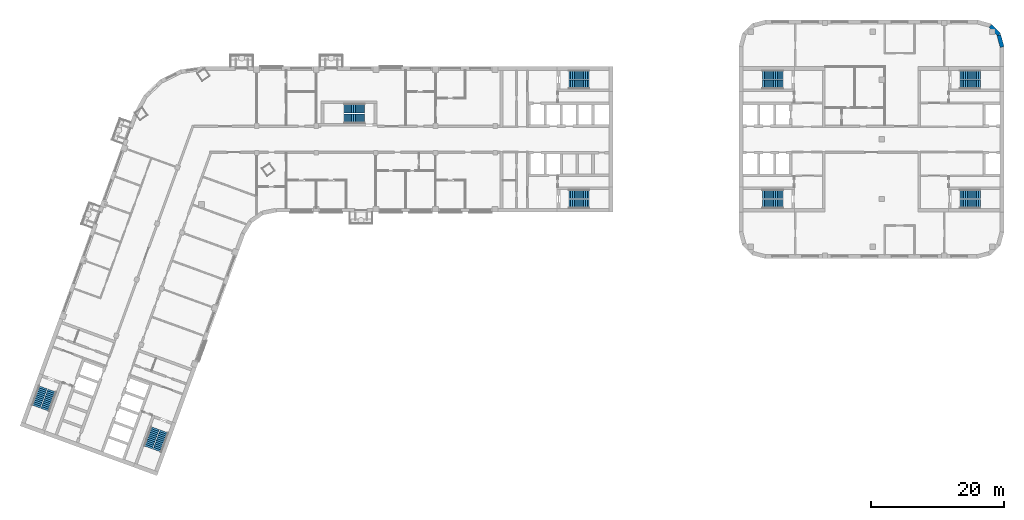
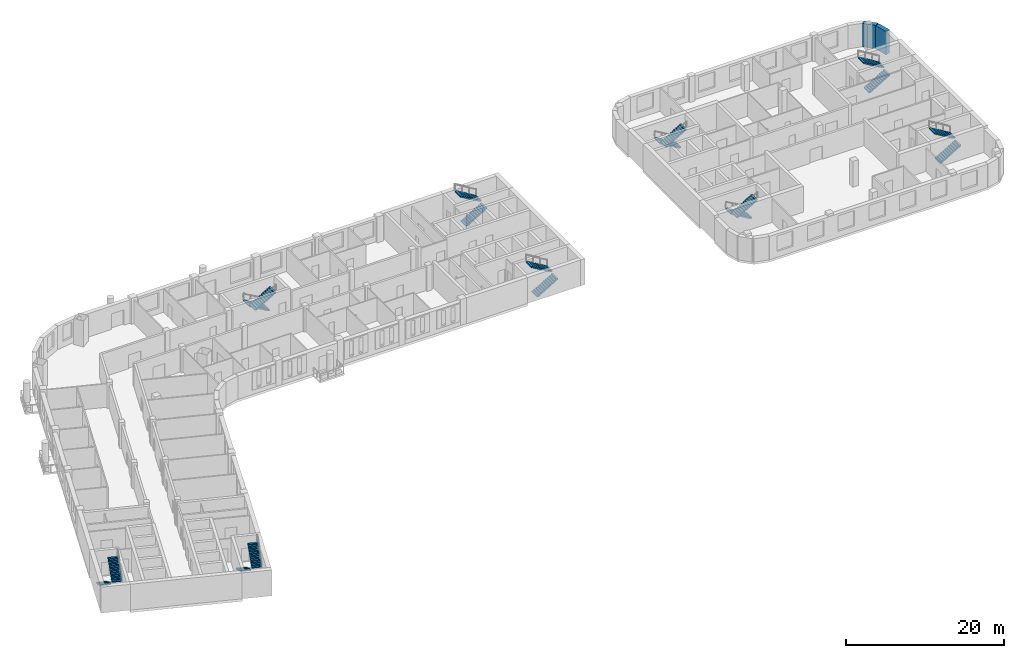
# One storey, part 10 of 15: 18 stair flights, 2 walls, 9 elements without a shape of their own.
"""IFC4 building model written with IfcOpenShell, lengths in metres."""

from ifc_helpers import new_model, si_unit, direction, frame, frame_2d, origin, place, context, subcontext, project, spatial, polyline, rectangle, outline, extrude, material, layer, layer_set, type_object, element, aggregate, save


model = new_model("IFC4")

# Units and contexts
model_context = context("Model", 3, precision=1e-05, world=origin(), true_north=direction((0.0, 1.0)))
body_context = subcontext(model_context, "Body", "Model", "MODEL_VIEW")
ifc_project = project(units=[si_unit("LENGTHUNIT", "METRE"), si_unit("AREAUNIT", "SQUARE_METRE"), si_unit("VOLUMEUNIT", "CUBIC_METRE"), si_unit("PLANEANGLEUNIT", "RADIAN"), si_unit("MASSUNIT", "GRAM", prefix="KILO")], contexts=[model_context])

# Site, building, storey
site_placement = place(None, origin())
site = spatial("IfcSite", under=ifc_project, at=site_placement, CompositionType="ELEMENT")
building_placement = place(site_placement, origin())
building = spatial("IfcBuilding", under=site, at=building_placement, Name="Skarvind Civic Tower", CompositionType="ELEMENT")
storey_placement = place(building_placement, frame((0.0, 0.0, 55.5)))
storey = spatial("IfcBuildingStorey", under=building, at=storey_placement, Name="L12", CompositionType="ELEMENT", Elevation=55.5)

# Walls
ifc_material_1 = material(Name="Limestone masonry cladding on insulated backing", Category="masonry")
ifc_layer = layer(ifc_material_1, 0.60009765625)
ifc_layer_set = layer_set([ifc_layer], Name="WX1 STONE FACADE WALL 600")
wall_type = type_object("IfcWallType", Name="WX1 STONE FACADE WALL 600", PredefinedType="SOLIDWALL", material=ifc_layer_set)
for number, where, z_axis, x_axis, name in (
    (1, (166.228759765625, 143.719482421875, 0.0), (0.0, 0.0, 1.0), (0.258773254036, -0.965938094805, 0.0), "STONE FACADE WALL"),
    (2, (164.936279296875, 145.103515625, 0.0), (0.0, 0.0, 1.0), (0.707106781187, -0.707106781187, 0.0), "STONE FACADE WALL"),
):
    element("IfcWall", number, at=place(storey_placement, frame(where, z_axis=z_axis, x_axis=x_axis)), inside=storey, type_object=wall_type, Name=name, PredefinedType="SOLIDWALL", context=body_context, shape_type="SweptSolid", body=[
        extrude(rectangle(XDim=1.860595703125, YDim=0.60009765625, at=frame_2d((0.93017578125, 0.0))), origin(), (0.0, 0.0, 1.0), 3.625),
    ])

# Stair, stair flights
ifc_material_2 = material(Name="Concrete C40/50", Category="concrete")
stair_type_1 = type_object("IfcStairType", Name="Exit stair 1450, half-turn, concrete", PredefinedType="HALF_TURN_STAIR", material=ifc_material_2)
stair_1_placement = place(storey_placement, origin())
stair_1 = element("IfcStair", 3, at=stair_1_placement, inside=storey, type_object=stair_type_1, Name="Exit stair CM", PredefinedType="HALF_TURN_STAIR")
stair_flight_type_1 = type_object("IfcStairFlightType", Name="Stair flight 1450, concrete", PredefinedType="STRAIGHT", material=ifc_material_2)
stair_flight_1_placement = place(storey_placement, frame((70.550048828125, 132.675048828125, 0.0), z_axis=(0.0, 0.0, 1.0), x_axis=(-1.0, 0.0, 0.0)))
stair_flight_1 = element("IfcStairFlight", 4, at=stair_flight_1_placement, type_object=stair_flight_type_1, Name="ST-CM flight 1", NumberOfRisers=12, NumberOfTreads=11, PredefinedType="STRAIGHT", RiserHeight=0.166666667, TreadLength=0.28, context=body_context, shape_type="SweptSolid", body=[
    extrude(outline(polyline([(0.0, 0.0), (0.0, 0.166748046875), (0.280029296875, 0.166748046875), (0.280029296875, 0.333251953125), (0.56005859375, 0.333251953125), (0.56005859375, 0.5), (0.840087890625, 0.5), (0.840087890625, 0.666748046875), (1.1201171875, 0.666748046875), (1.1201171875, 0.833251953125), (1.39990234375, 0.833251953125), (1.39990234375, 1.0), (1.679931640625, 1.0), (1.679931640625, 1.166748046875), (1.9599609375, 1.166748046875), (1.9599609375, 1.333251953125), (2.239990234375, 1.333251953125), (2.239990234375, 1.5), (2.52001953125, 1.5), (2.52001953125, 1.666748046875), (2.800048828125, 1.666748046875), (2.800048828125, 1.833251953125), (3.080078125, 1.833251953125), (3.080078125, 2.0), (3.080078125, 1.658935546875), (0.29296875, 0.0), (0.0, 0.0)])), frame((0.0, 0.72509765625, 0.0), z_axis=(0.0, -1.0, 0.0), x_axis=(1.0, 0.0, 0.0)), (0.0, 0.0, 1.0), 1.449951171875),
])
stair_flight_2_placement = place(storey_placement, frame((67.469970703125, 131.125, 2.0), z_axis=(0.0, 0.0, 1.0), x_axis=(1.0, 0.0, 0.0)))
stair_flight_2 = element("IfcStairFlight", 5, at=stair_flight_2_placement, type_object=stair_flight_type_1, Name="ST-CM flight 2", NumberOfRisers=12, NumberOfTreads=11, PredefinedType="STRAIGHT", RiserHeight=0.166666667, TreadLength=0.28, context=body_context, shape_type="SweptSolid", body=[
    extrude(outline(polyline([(0.0, 0.0), (0.0, 0.166748046875), (0.280029296875, 0.166748046875), (0.280029296875, 0.333251953125), (0.56005859375, 0.333251953125), (0.56005859375, 0.5), (0.840087890625, 0.5), (0.840087890625, 0.666748046875), (1.1201171875, 0.666748046875), (1.1201171875, 0.833251953125), (1.39990234375, 0.833251953125), (1.39990234375, 1.0), (1.679931640625, 1.0), (1.679931640625, 1.166748046875), (1.9599609375, 1.166748046875), (1.9599609375, 1.333251953125), (2.239990234375, 1.333251953125), (2.239990234375, 1.5), (2.52001953125, 1.5), (2.52001953125, 1.666748046875), (2.800048828125, 1.666748046875), (2.800048828125, 1.833251953125), (3.080078125, 1.833251953125), (3.080078125, 2.0), (3.080078125, 1.658935546875), (0.29296875, 0.0), (0.0, 0.0)])), frame((0.0, 0.72509765625, 0.0), z_axis=(0.0, -1.0, 0.0), x_axis=(1.0, 0.0, 0.0)), (0.0, 0.0, 1.0), 1.449951171875),
])
aggregate(stair_1, [stair_flight_1, stair_flight_2])

stair_type_2 = type_object("IfcStairType", Name="Exit stair, half-turn, concrete", PredefinedType="HALF_TURN_STAIR", material=ifc_material_2)
stair_2_placement = place(storey_placement, origin())
stair_2 = element("IfcStair", 6, at=stair_2_placement, inside=storey, type_object=stair_type_2, Name="Exit stair C1S", PredefinedType="HALF_TURN_STAIR")
stair_flight_type_2 = type_object("IfcStairFlightType", Name="Stair flight, concrete", PredefinedType="STRAIGHT", material=ifc_material_2)
stair_flight_3_placement = place(storey_placement, frame((101.35009765625, 136.27490234375, 0.0), z_axis=(0.0, 0.0, 1.0), x_axis=(1.0, 0.0, 0.0)))
stair_flight_3 = element("IfcStairFlight", 7, at=stair_flight_3_placement, type_object=stair_flight_type_2, Name="ST-C1S flight 1", NumberOfRisers=12, NumberOfTreads=11, PredefinedType="STRAIGHT", RiserHeight=0.166666667, TreadLength=0.28, context=body_context, shape_type="SweptSolid", body=[
    extrude(outline(polyline([(0.0, 0.0), (0.0, 0.166748046875), (0.280029296875, 0.166748046875), (0.280029296875, 0.333251953125), (0.56005859375, 0.333251953125), (0.56005859375, 0.5), (0.840087890625, 0.5), (0.840087890625, 0.666748046875), (1.1201171875, 0.666748046875), (1.1201171875, 0.833251953125), (1.39990234375, 0.833251953125), (1.39990234375, 1.0), (1.679931640625, 1.0), (1.679931640625, 1.166748046875), (1.9599609375, 1.166748046875), (1.9599609375, 1.333251953125), (2.239990234375, 1.333251953125), (2.239990234375, 1.5), (2.52001953125, 1.5), (2.52001953125, 1.666748046875), (2.800048828125, 1.666748046875), (2.800048828125, 1.833251953125), (3.080078125, 1.833251953125), (3.080078125, 2.0), (3.080078125, 1.658935546875), (0.29296875, 0.0), (0.0, 0.0)])), frame((0.0, 0.675048828125, 0.0), z_axis=(0.0, -1.0, 0.0), x_axis=(1.0, 0.0, 0.0)), (0.0, 0.0, 1.0), 1.35009765625),
])
stair_flight_4_placement = place(storey_placement, frame((104.429931640625, 137.72509765625, 2.0), z_axis=(0.0, 0.0, 1.0), x_axis=(-1.0, 0.0, 0.0)))
stair_flight_4 = element("IfcStairFlight", 8, at=stair_flight_4_placement, type_object=stair_flight_type_2, Name="ST-C1S flight 2", NumberOfRisers=12, NumberOfTreads=11, PredefinedType="STRAIGHT", RiserHeight=0.166666667, TreadLength=0.28, context=body_context, shape_type="SweptSolid", body=[
    extrude(outline(polyline([(0.0, 0.0), (0.0, 0.166748046875), (0.280029296875, 0.166748046875), (0.280029296875, 0.333251953125), (0.56005859375, 0.333251953125), (0.56005859375, 0.5), (0.840087890625, 0.5), (0.840087890625, 0.666748046875), (1.1201171875, 0.666748046875), (1.1201171875, 0.833251953125), (1.39990234375, 0.833251953125), (1.39990234375, 1.0), (1.679931640625, 1.0), (1.679931640625, 1.166748046875), (1.9599609375, 1.166748046875), (1.9599609375, 1.333251953125), (2.239990234375, 1.333251953125), (2.239990234375, 1.5), (2.52001953125, 1.5), (2.52001953125, 1.666748046875), (2.800048828125, 1.666748046875), (2.800048828125, 1.833251953125), (3.080078125, 1.833251953125), (3.080078125, 2.0), (3.080078125, 1.658935546875), (0.29296875, 0.0), (0.0, 0.0)])), frame((0.0, 0.675048828125, 0.0), z_axis=(0.0, -1.0, 0.0), x_axis=(1.0, 0.0, 0.0)), (0.0, 0.0, 1.0), 1.35009765625),
])
aggregate(stair_2, [stair_flight_3, stair_flight_4])

stair_3_placement = place(storey_placement, origin())
stair_3 = element("IfcStair", 9, at=stair_3_placement, inside=storey, type_object=stair_type_2, Name="Exit stair C1N", PredefinedType="HALF_TURN_STAIR")
stair_flight_5_placement = place(storey_placement, frame((101.35009765625, 118.27490234375, 0.0), z_axis=(0.0, 0.0, 1.0), x_axis=(1.0, 0.0, 0.0)))
stair_flight_5 = element("IfcStairFlight", 10, at=stair_flight_5_placement, type_object=stair_flight_type_2, Name="ST-C1N flight 1", NumberOfRisers=12, NumberOfTreads=11, PredefinedType="STRAIGHT", RiserHeight=0.166666667, TreadLength=0.28, context=body_context, shape_type="SweptSolid", body=[
    extrude(outline(polyline([(0.0, 0.0), (0.0, 0.166748046875), (0.280029296875, 0.166748046875), (0.280029296875, 0.333251953125), (0.56005859375, 0.333251953125), (0.56005859375, 0.5), (0.840087890625, 0.5), (0.840087890625, 0.666748046875), (1.1201171875, 0.666748046875), (1.1201171875, 0.833251953125), (1.39990234375, 0.833251953125), (1.39990234375, 1.0), (1.679931640625, 1.0), (1.679931640625, 1.166748046875), (1.9599609375, 1.166748046875), (1.9599609375, 1.333251953125), (2.239990234375, 1.333251953125), (2.239990234375, 1.5), (2.52001953125, 1.5), (2.52001953125, 1.666748046875), (2.800048828125, 1.666748046875), (2.800048828125, 1.833251953125), (3.080078125, 1.833251953125), (3.080078125, 2.0), (3.080078125, 1.658935546875), (0.29296875, 0.0), (0.0, 0.0)])), frame((0.0, 0.675048828125, 0.0), z_axis=(0.0, -1.0, 0.0), x_axis=(1.0, 0.0, 0.0)), (0.0, 0.0, 1.0), 1.35009765625),
])
stair_flight_6_placement = place(storey_placement, frame((104.429931640625, 119.72509765625, 2.0), z_axis=(0.0, 0.0, 1.0), x_axis=(-1.0, 0.0, 0.0)))
stair_flight_6 = element("IfcStairFlight", 11, at=stair_flight_6_placement, type_object=stair_flight_type_2, Name="ST-C1N flight 2", NumberOfRisers=12, NumberOfTreads=11, PredefinedType="STRAIGHT", RiserHeight=0.166666667, TreadLength=0.28, context=body_context, shape_type="SweptSolid", body=[
    extrude(outline(polyline([(0.0, 0.0), (0.0, 0.166748046875), (0.280029296875, 0.166748046875), (0.280029296875, 0.333251953125), (0.56005859375, 0.333251953125), (0.56005859375, 0.5), (0.840087890625, 0.5), (0.840087890625, 0.666748046875), (1.1201171875, 0.666748046875), (1.1201171875, 0.833251953125), (1.39990234375, 0.833251953125), (1.39990234375, 1.0), (1.679931640625, 1.0), (1.679931640625, 1.166748046875), (1.9599609375, 1.166748046875), (1.9599609375, 1.333251953125), (2.239990234375, 1.333251953125), (2.239990234375, 1.5), (2.52001953125, 1.5), (2.52001953125, 1.666748046875), (2.800048828125, 1.666748046875), (2.800048828125, 1.833251953125), (3.080078125, 1.833251953125), (3.080078125, 2.0), (3.080078125, 1.658935546875), (0.29296875, 0.0), (0.0, 0.0)])), frame((0.0, 0.675048828125, 0.0), z_axis=(0.0, -1.0, 0.0), x_axis=(1.0, 0.0, 0.0)), (0.0, 0.0, 1.0), 1.35009765625),
])
aggregate(stair_3, [stair_flight_5, stair_flight_6])

stair_4_placement = place(storey_placement, origin())
stair_4 = element("IfcStair", 12, at=stair_4_placement, inside=storey, type_object=stair_type_2, Name="Exit stair C2S", PredefinedType="HALF_TURN_STAIR")
stair_flight_7_placement = place(storey_placement, frame((38.949462890625, 84.43408203125, 0.0), z_axis=(0.0, 0.0, 1.0), x_axis=(-0.342020143326, -0.939692620786, 0.0)))
stair_flight_7 = element("IfcStairFlight", 13, at=stair_flight_7_placement, type_object=stair_flight_type_2, Name="ST-C2S flight 1", NumberOfRisers=12, NumberOfTreads=11, PredefinedType="STRAIGHT", RiserHeight=0.166666667, TreadLength=0.28, context=body_context, shape_type="SweptSolid", body=[
    extrude(outline(polyline([(0.0, 0.0), (0.0, 0.166748046875), (0.280029296875, 0.166748046875), (0.280029296875, 0.333251953125), (0.56005859375, 0.333251953125), (0.56005859375, 0.5), (0.840087890625, 0.5), (0.840087890625, 0.666748046875), (1.1201171875, 0.666748046875), (1.1201171875, 0.833251953125), (1.39990234375, 0.833251953125), (1.39990234375, 1.0), (1.679931640625, 1.0), (1.679931640625, 1.166748046875), (1.9599609375, 1.166748046875), (1.9599609375, 1.333251953125), (2.239990234375, 1.333251953125), (2.239990234375, 1.5), (2.52001953125, 1.5), (2.52001953125, 1.666748046875), (2.800048828125, 1.666748046875), (2.800048828125, 1.833251953125), (3.080078125, 1.833251953125), (3.080078125, 2.0), (3.080078125, 1.658935546875), (0.29296875, 0.0), (0.0, 0.0)])), frame((0.0, 0.675048828125, 0.0), z_axis=(0.0, -1.0, 0.0), x_axis=(1.0, 0.0, 0.0)), (0.0, 0.0, 1.0), 1.35009765625),
])
stair_flight_8_placement = place(storey_placement, frame((39.258544921875, 81.0439453125, 2.0), z_axis=(0.0, 0.0, 1.0), x_axis=(0.342020143326, 0.939692620786, 0.0)))
stair_flight_8 = element("IfcStairFlight", 14, at=stair_flight_8_placement, type_object=stair_flight_type_2, Name="ST-C2S flight 2", NumberOfRisers=12, NumberOfTreads=11, PredefinedType="STRAIGHT", RiserHeight=0.166666667, TreadLength=0.28, context=body_context, shape_type="SweptSolid", body=[
    extrude(outline(polyline([(0.0, 0.0), (0.0, 0.166748046875), (0.280029296875, 0.166748046875), (0.280029296875, 0.333251953125), (0.56005859375, 0.333251953125), (0.56005859375, 0.5), (0.840087890625, 0.5), (0.840087890625, 0.666748046875), (1.1201171875, 0.666748046875), (1.1201171875, 0.833251953125), (1.39990234375, 0.833251953125), (1.39990234375, 1.0), (1.679931640625, 1.0), (1.679931640625, 1.166748046875), (1.9599609375, 1.166748046875), (1.9599609375, 1.333251953125), (2.239990234375, 1.333251953125), (2.239990234375, 1.5), (2.52001953125, 1.5), (2.52001953125, 1.666748046875), (2.800048828125, 1.666748046875), (2.800048828125, 1.833251953125), (3.080078125, 1.833251953125), (3.080078125, 2.0), (3.080078125, 1.658935546875), (0.29296875, 0.0), (0.0, 0.0)])), frame((0.0, 0.675048828125, 0.0), z_axis=(0.0, -1.0, 0.0), x_axis=(1.0, 0.0, 0.0)), (0.0, 0.0, 1.0), 1.35009765625),
])
aggregate(stair_4, [stair_flight_7, stair_flight_8])

stair_5_placement = place(storey_placement, origin())
stair_5 = element("IfcStair", 15, at=stair_5_placement, inside=storey, type_object=stair_type_2, Name="Exit stair C2N", PredefinedType="HALF_TURN_STAIR")
stair_flight_9_placement = place(storey_placement, frame((22.034912109375, 90.590576171875, 0.0), z_axis=(0.0, 0.0, 1.0), x_axis=(-0.342020143326, -0.939692620786, 0.0)))
stair_flight_9 = element("IfcStairFlight", 16, at=stair_flight_9_placement, type_object=stair_flight_type_2, Name="ST-C2N flight 1", NumberOfRisers=12, NumberOfTreads=11, PredefinedType="STRAIGHT", RiserHeight=0.166666667, TreadLength=0.28, context=body_context, shape_type="SweptSolid", body=[
    extrude(outline(polyline([(0.0, 0.0), (0.0, 0.166748046875), (0.280029296875, 0.166748046875), (0.280029296875, 0.333251953125), (0.56005859375, 0.333251953125), (0.56005859375, 0.5), (0.840087890625, 0.5), (0.840087890625, 0.666748046875), (1.1201171875, 0.666748046875), (1.1201171875, 0.833251953125), (1.39990234375, 0.833251953125), (1.39990234375, 1.0), (1.679931640625, 1.0), (1.679931640625, 1.166748046875), (1.9599609375, 1.166748046875), (1.9599609375, 1.333251953125), (2.239990234375, 1.333251953125), (2.239990234375, 1.5), (2.52001953125, 1.5), (2.52001953125, 1.666748046875), (2.800048828125, 1.666748046875), (2.800048828125, 1.833251953125), (3.080078125, 1.833251953125), (3.080078125, 2.0), (3.080078125, 1.658935546875), (0.29296875, 0.0), (0.0, 0.0)])), frame((0.0, 0.675048828125, 0.0), z_axis=(0.0, -1.0, 0.0), x_axis=(1.0, 0.0, 0.0)), (0.0, 0.0, 1.0), 1.35009765625),
])
stair_flight_10_placement = place(storey_placement, frame((22.343994140625, 87.2001953125, 2.0), z_axis=(0.0, 0.0, 1.0), x_axis=(0.342020143326, 0.939692620786, 0.0)))
stair_flight_10 = element("IfcStairFlight", 17, at=stair_flight_10_placement, type_object=stair_flight_type_2, Name="ST-C2N flight 2", NumberOfRisers=12, NumberOfTreads=11, PredefinedType="STRAIGHT", RiserHeight=0.166666667, TreadLength=0.28, context=body_context, shape_type="SweptSolid", body=[
    extrude(outline(polyline([(0.0, 0.0), (0.0, 0.166748046875), (0.280029296875, 0.166748046875), (0.280029296875, 0.333251953125), (0.56005859375, 0.333251953125), (0.56005859375, 0.5), (0.840087890625, 0.5), (0.840087890625, 0.666748046875), (1.1201171875, 0.666748046875), (1.1201171875, 0.833251953125), (1.39990234375, 0.833251953125), (1.39990234375, 1.0), (1.679931640625, 1.0), (1.679931640625, 1.166748046875), (1.9599609375, 1.166748046875), (1.9599609375, 1.333251953125), (2.239990234375, 1.333251953125), (2.239990234375, 1.5), (2.52001953125, 1.5), (2.52001953125, 1.666748046875), (2.800048828125, 1.666748046875), (2.800048828125, 1.833251953125), (3.080078125, 1.833251953125), (3.080078125, 2.0), (3.080078125, 1.658935546875), (0.29296875, 0.0), (0.0, 0.0)])), frame((0.0, 0.675048828125, 0.0), z_axis=(0.0, -1.0, 0.0), x_axis=(1.0, 0.0, 0.0)), (0.0, 0.0, 1.0), 1.35009765625),
])
aggregate(stair_5, [stair_flight_9, stair_flight_10])

stair_6_placement = place(storey_placement, origin())
stair_6 = element("IfcStair", 18, at=stair_6_placement, inside=storey, type_object=stair_type_2, Name="Exit stair CAS", PredefinedType="HALF_TURN_STAIR")
stair_flight_11_placement = place(storey_placement, frame((133.64990234375, 119.72509765625, 0.0), z_axis=(0.0, 0.0, 1.0), x_axis=(-1.0, 0.0, 0.0)))
stair_flight_11 = element("IfcStairFlight", 19, at=stair_flight_11_placement, type_object=stair_flight_type_2, Name="ST-CAS flight 1", NumberOfRisers=12, NumberOfTreads=11, PredefinedType="STRAIGHT", RiserHeight=0.166666667, TreadLength=0.28, context=body_context, shape_type="SweptSolid", body=[
    extrude(outline(polyline([(0.0, 0.0), (0.0, 0.166748046875), (0.280029296875, 0.166748046875), (0.280029296875, 0.333251953125), (0.56005859375, 0.333251953125), (0.56005859375, 0.5), (0.840087890625, 0.5), (0.840087890625, 0.666748046875), (1.1201171875, 0.666748046875), (1.1201171875, 0.833251953125), (1.39990234375, 0.833251953125), (1.39990234375, 1.0), (1.679931640625, 1.0), (1.679931640625, 1.166748046875), (1.9599609375, 1.166748046875), (1.9599609375, 1.333251953125), (2.239990234375, 1.333251953125), (2.239990234375, 1.5), (2.52001953125, 1.5), (2.52001953125, 1.666748046875), (2.800048828125, 1.666748046875), (2.800048828125, 1.833251953125), (3.080078125, 1.833251953125), (3.080078125, 2.0), (3.080078125, 1.658935546875), (0.29296875, 0.0), (0.0, 0.0)])), frame((0.0, 0.675048828125, 0.0), z_axis=(0.0, -1.0, 0.0), x_axis=(1.0, 0.0, 0.0)), (0.0, 0.0, 1.0), 1.35009765625),
])
stair_flight_12_placement = place(storey_placement, frame((130.570068359375, 118.27490234375, 2.0), z_axis=(0.0, 0.0, 1.0), x_axis=(1.0, 0.0, 0.0)))
stair_flight_12 = element("IfcStairFlight", 20, at=stair_flight_12_placement, type_object=stair_flight_type_2, Name="ST-CAS flight 2", NumberOfRisers=12, NumberOfTreads=11, PredefinedType="STRAIGHT", RiserHeight=0.166666667, TreadLength=0.28, context=body_context, shape_type="SweptSolid", body=[
    extrude(outline(polyline([(0.0, 0.0), (0.0, 0.166748046875), (0.280029296875, 0.166748046875), (0.280029296875, 0.333251953125), (0.56005859375, 0.333251953125), (0.56005859375, 0.5), (0.840087890625, 0.5), (0.840087890625, 0.666748046875), (1.1201171875, 0.666748046875), (1.1201171875, 0.833251953125), (1.39990234375, 0.833251953125), (1.39990234375, 1.0), (1.679931640625, 1.0), (1.679931640625, 1.166748046875), (1.9599609375, 1.166748046875), (1.9599609375, 1.333251953125), (2.239990234375, 1.333251953125), (2.239990234375, 1.5), (2.52001953125, 1.5), (2.52001953125, 1.666748046875), (2.800048828125, 1.666748046875), (2.800048828125, 1.833251953125), (3.080078125, 1.833251953125), (3.080078125, 2.0), (3.080078125, 1.658935546875), (0.29296875, 0.0), (0.0, 0.0)])), frame((0.0, 0.675048828125, 0.0), z_axis=(0.0, -1.0, 0.0), x_axis=(1.0, 0.0, 0.0)), (0.0, 0.0, 1.0), 1.35009765625),
])
aggregate(stair_6, [stair_flight_11, stair_flight_12])

stair_7_placement = place(storey_placement, origin())
stair_7 = element("IfcStair", 21, at=stair_7_placement, inside=storey, type_object=stair_type_2, Name="Exit stair CAN", PredefinedType="HALF_TURN_STAIR")
stair_flight_13_placement = place(storey_placement, frame((133.64990234375, 137.72509765625, 0.0), z_axis=(0.0, 0.0, 1.0), x_axis=(-1.0, 0.0, 0.0)))
stair_flight_13 = element("IfcStairFlight", 22, at=stair_flight_13_placement, type_object=stair_flight_type_2, Name="ST-CAN flight 1", NumberOfRisers=12, NumberOfTreads=11, PredefinedType="STRAIGHT", RiserHeight=0.166666667, TreadLength=0.28, context=body_context, shape_type="SweptSolid", body=[
    extrude(outline(polyline([(0.0, 0.0), (0.0, 0.166748046875), (0.280029296875, 0.166748046875), (0.280029296875, 0.333251953125), (0.56005859375, 0.333251953125), (0.56005859375, 0.5), (0.840087890625, 0.5), (0.840087890625, 0.666748046875), (1.1201171875, 0.666748046875), (1.1201171875, 0.833251953125), (1.39990234375, 0.833251953125), (1.39990234375, 1.0), (1.679931640625, 1.0), (1.679931640625, 1.166748046875), (1.9599609375, 1.166748046875), (1.9599609375, 1.333251953125), (2.239990234375, 1.333251953125), (2.239990234375, 1.5), (2.52001953125, 1.5), (2.52001953125, 1.666748046875), (2.800048828125, 1.666748046875), (2.800048828125, 1.833251953125), (3.080078125, 1.833251953125), (3.080078125, 2.0), (3.080078125, 1.658935546875), (0.29296875, 0.0), (0.0, 0.0)])), frame((0.0, 0.675048828125, 0.0), z_axis=(0.0, -1.0, 0.0), x_axis=(1.0, 0.0, 0.0)), (0.0, 0.0, 1.0), 1.35009765625),
])
stair_flight_14_placement = place(storey_placement, frame((130.570068359375, 136.27490234375, 2.0), z_axis=(0.0, 0.0, 1.0), x_axis=(1.0, 0.0, 0.0)))
stair_flight_14 = element("IfcStairFlight", 23, at=stair_flight_14_placement, type_object=stair_flight_type_2, Name="ST-CAN flight 2", NumberOfRisers=12, NumberOfTreads=11, PredefinedType="STRAIGHT", RiserHeight=0.166666667, TreadLength=0.28, context=body_context, shape_type="SweptSolid", body=[
    extrude(outline(polyline([(0.0, 0.0), (0.0, 0.166748046875), (0.280029296875, 0.166748046875), (0.280029296875, 0.333251953125), (0.56005859375, 0.333251953125), (0.56005859375, 0.5), (0.840087890625, 0.5), (0.840087890625, 0.666748046875), (1.1201171875, 0.666748046875), (1.1201171875, 0.833251953125), (1.39990234375, 0.833251953125), (1.39990234375, 1.0), (1.679931640625, 1.0), (1.679931640625, 1.166748046875), (1.9599609375, 1.166748046875), (1.9599609375, 1.333251953125), (2.239990234375, 1.333251953125), (2.239990234375, 1.5), (2.52001953125, 1.5), (2.52001953125, 1.666748046875), (2.800048828125, 1.666748046875), (2.800048828125, 1.833251953125), (3.080078125, 1.833251953125), (3.080078125, 2.0), (3.080078125, 1.658935546875), (0.29296875, 0.0), (0.0, 0.0)])), frame((0.0, 0.675048828125, 0.0), z_axis=(0.0, -1.0, 0.0), x_axis=(1.0, 0.0, 0.0)), (0.0, 0.0, 1.0), 1.35009765625),
])
aggregate(stair_7, [stair_flight_13, stair_flight_14])

stair_8_placement = place(storey_placement, origin())
stair_8 = element("IfcStair", 24, at=stair_8_placement, inside=storey, type_object=stair_type_2, Name="Exit stair CBS", PredefinedType="HALF_TURN_STAIR")
stair_flight_15_placement = place(storey_placement, frame((160.35009765625, 136.27490234375, 0.0), z_axis=(0.0, 0.0, 1.0), x_axis=(1.0, 0.0, 0.0)))
stair_flight_15 = element("IfcStairFlight", 25, at=stair_flight_15_placement, type_object=stair_flight_type_2, Name="ST-CBS flight 1", NumberOfRisers=12, NumberOfTreads=11, PredefinedType="STRAIGHT", RiserHeight=0.166666667, TreadLength=0.28, context=body_context, shape_type="SweptSolid", body=[
    extrude(outline(polyline([(0.0, 0.0), (0.0, 0.166748046875), (0.280029296875, 0.166748046875), (0.280029296875, 0.333251953125), (0.56005859375, 0.333251953125), (0.56005859375, 0.5), (0.840087890625, 0.5), (0.840087890625, 0.666748046875), (1.1201171875, 0.666748046875), (1.1201171875, 0.833251953125), (1.39990234375, 0.833251953125), (1.39990234375, 1.0), (1.679931640625, 1.0), (1.679931640625, 1.166748046875), (1.9599609375, 1.166748046875), (1.9599609375, 1.333251953125), (2.239990234375, 1.333251953125), (2.239990234375, 1.5), (2.52001953125, 1.5), (2.52001953125, 1.666748046875), (2.800048828125, 1.666748046875), (2.800048828125, 1.833251953125), (3.080078125, 1.833251953125), (3.080078125, 2.0), (3.080078125, 1.658935546875), (0.29296875, 0.0), (0.0, 0.0)])), frame((0.0, 0.675048828125, 0.0), z_axis=(0.0, -1.0, 0.0), x_axis=(1.0, 0.0, 0.0)), (0.0, 0.0, 1.0), 1.35009765625),
])
stair_flight_16_placement = place(storey_placement, frame((163.429931640625, 137.72509765625, 2.0), z_axis=(0.0, 0.0, 1.0), x_axis=(-1.0, 0.0, 0.0)))
stair_flight_16 = element("IfcStairFlight", 26, at=stair_flight_16_placement, type_object=stair_flight_type_2, Name="ST-CBS flight 2", NumberOfRisers=12, NumberOfTreads=11, PredefinedType="STRAIGHT", RiserHeight=0.166666667, TreadLength=0.28, context=body_context, shape_type="SweptSolid", body=[
    extrude(outline(polyline([(0.0, 0.0), (0.0, 0.166748046875), (0.280029296875, 0.166748046875), (0.280029296875, 0.333251953125), (0.56005859375, 0.333251953125), (0.56005859375, 0.5), (0.840087890625, 0.5), (0.840087890625, 0.666748046875), (1.1201171875, 0.666748046875), (1.1201171875, 0.833251953125), (1.39990234375, 0.833251953125), (1.39990234375, 1.0), (1.679931640625, 1.0), (1.679931640625, 1.166748046875), (1.9599609375, 1.166748046875), (1.9599609375, 1.333251953125), (2.239990234375, 1.333251953125), (2.239990234375, 1.5), (2.52001953125, 1.5), (2.52001953125, 1.666748046875), (2.800048828125, 1.666748046875), (2.800048828125, 1.833251953125), (3.080078125, 1.833251953125), (3.080078125, 2.0), (3.080078125, 1.658935546875), (0.29296875, 0.0), (0.0, 0.0)])), frame((0.0, 0.675048828125, 0.0), z_axis=(0.0, -1.0, 0.0), x_axis=(1.0, 0.0, 0.0)), (0.0, 0.0, 1.0), 1.35009765625),
])
aggregate(stair_8, [stair_flight_15, stair_flight_16])

stair_9_placement = place(storey_placement, origin())
stair_9 = element("IfcStair", 27, at=stair_9_placement, inside=storey, type_object=stair_type_2, Name="Exit stair CBN", PredefinedType="HALF_TURN_STAIR")
stair_flight_17_placement = place(storey_placement, frame((160.35009765625, 118.27490234375, 0.0), z_axis=(0.0, 0.0, 1.0), x_axis=(1.0, 0.0, 0.0)))
stair_flight_17 = element("IfcStairFlight", 28, at=stair_flight_17_placement, type_object=stair_flight_type_2, Name="ST-CBN flight 1", NumberOfRisers=12, NumberOfTreads=11, PredefinedType="STRAIGHT", RiserHeight=0.166666667, TreadLength=0.28, context=body_context, shape_type="SweptSolid", body=[
    extrude(outline(polyline([(0.0, 0.0), (0.0, 0.166748046875), (0.280029296875, 0.166748046875), (0.280029296875, 0.333251953125), (0.56005859375, 0.333251953125), (0.56005859375, 0.5), (0.840087890625, 0.5), (0.840087890625, 0.666748046875), (1.1201171875, 0.666748046875), (1.1201171875, 0.833251953125), (1.39990234375, 0.833251953125), (1.39990234375, 1.0), (1.679931640625, 1.0), (1.679931640625, 1.166748046875), (1.9599609375, 1.166748046875), (1.9599609375, 1.333251953125), (2.239990234375, 1.333251953125), (2.239990234375, 1.5), (2.52001953125, 1.5), (2.52001953125, 1.666748046875), (2.800048828125, 1.666748046875), (2.800048828125, 1.833251953125), (3.080078125, 1.833251953125), (3.080078125, 2.0), (3.080078125, 1.658935546875), (0.29296875, 0.0), (0.0, 0.0)])), frame((0.0, 0.675048828125, 0.0), z_axis=(0.0, -1.0, 0.0), x_axis=(1.0, 0.0, 0.0)), (0.0, 0.0, 1.0), 1.35009765625),
])
stair_flight_18_placement = place(storey_placement, frame((163.429931640625, 119.72509765625, 2.0), z_axis=(0.0, 0.0, 1.0), x_axis=(-1.0, 0.0, 0.0)))
stair_flight_18 = element("IfcStairFlight", 29, at=stair_flight_18_placement, type_object=stair_flight_type_2, Name="ST-CBN flight 2", NumberOfRisers=12, NumberOfTreads=11, PredefinedType="STRAIGHT", RiserHeight=0.166666667, TreadLength=0.28, context=body_context, shape_type="SweptSolid", body=[
    extrude(outline(polyline([(0.0, 0.0), (0.0, 0.166748046875), (0.280029296875, 0.166748046875), (0.280029296875, 0.333251953125), (0.56005859375, 0.333251953125), (0.56005859375, 0.5), (0.840087890625, 0.5), (0.840087890625, 0.666748046875), (1.1201171875, 0.666748046875), (1.1201171875, 0.833251953125), (1.39990234375, 0.833251953125), (1.39990234375, 1.0), (1.679931640625, 1.0), (1.679931640625, 1.166748046875), (1.9599609375, 1.166748046875), (1.9599609375, 1.333251953125), (2.239990234375, 1.333251953125), (2.239990234375, 1.5), (2.52001953125, 1.5), (2.52001953125, 1.666748046875), (2.800048828125, 1.666748046875), (2.800048828125, 1.833251953125), (3.080078125, 1.833251953125), (3.080078125, 2.0), (3.080078125, 1.658935546875), (0.29296875, 0.0), (0.0, 0.0)])), frame((0.0, 0.675048828125, 0.0), z_axis=(0.0, -1.0, 0.0), x_axis=(1.0, 0.0, 0.0)), (0.0, 0.0, 1.0), 1.35009765625),
])
aggregate(stair_9, [stair_flight_17, stair_flight_18])

save(model, "model.ifc")
